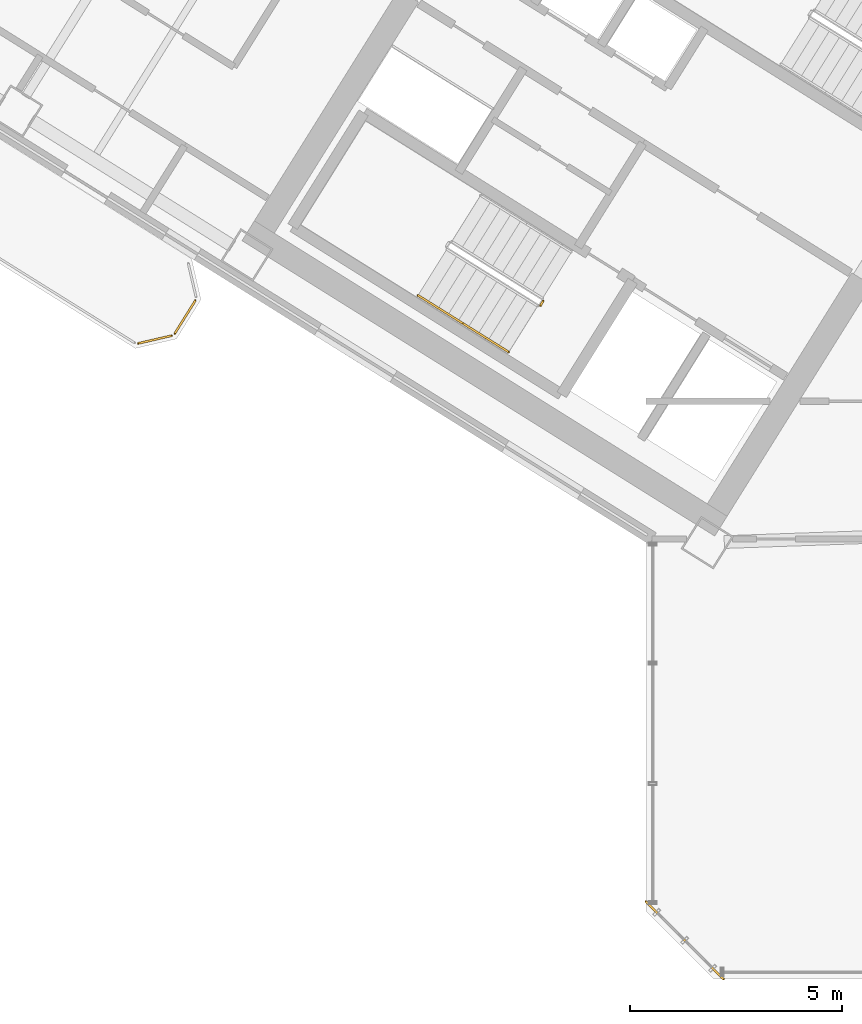
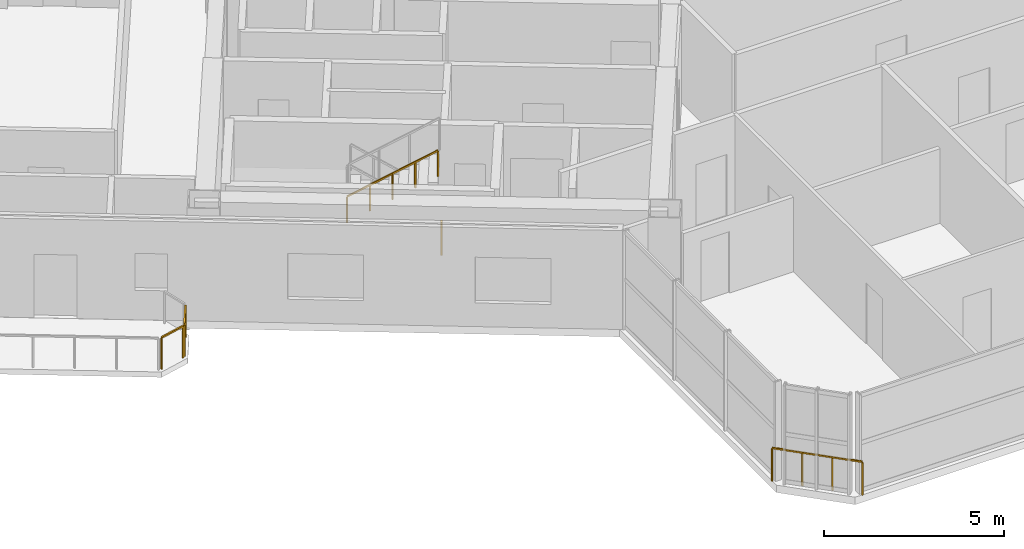
# One storey, part 17 of 21: 6 railings.
"""IFC4 building model written with IfcOpenShell, lengths in metres."""

from ifc_helpers import new_model, si_unit, direction, frame, origin, origin_2d, place, context, subcontext, project, spatial, rectangle, extrude, source, transform, mapped, material, type_object, element, save


model = new_model("IFC4")

# Units and contexts
model_context = context("Model", 3, precision=1e-05, world=origin(), true_north=direction((0.0, 1.0)))
body_context = subcontext(model_context, "Body", "Model", "MODEL_VIEW")
ifc_project = project(units=[si_unit("LENGTHUNIT", "METRE"), si_unit("AREAUNIT", "SQUARE_METRE"), si_unit("VOLUMEUNIT", "CUBIC_METRE"), si_unit("PLANEANGLEUNIT", "RADIAN"), si_unit("MASSUNIT", "GRAM", prefix="KILO")], contexts=[model_context])

# Site, building, storey
site_placement = place(None, origin())
site = spatial("IfcSite", under=ifc_project, at=site_placement, CompositionType="ELEMENT")
building_placement = place(site_placement, origin())
building = spatial("IfcBuilding", under=site, at=building_placement, Name="Tlacorven Tower", CompositionType="ELEMENT")
storey_placement = place(building_placement, frame((0.0, 0.0, 105.300048828125)))
storey = spatial("IfcBuildingStorey", under=building, at=storey_placement, Name="L26", CompositionType="ELEMENT", Elevation=105.300048828125)

# Railings
ifc_material = material(Name="Aluminium and painted steel balustrade", Category="steel")
railing_type_1 = type_object("IfcRailingType", Name="RL-BAL-1100", PredefinedType="BALUSTRADE", material=ifc_material)
shared_shape_1 = source(origin(), body_context, "Body", "SweptSolid", [
    extrude(rectangle(XDim=0.048095703125, YDim=0.048095703125, at=origin_2d()), frame((0.0, 0.0, 1.076171875), z_axis=(-0.52987865805, -0.848073468364, 0.0), x_axis=(0.848073468364, -0.52987865805, 0.0)), (0.0, 0.0, 1.0), 0.912353515625),
    extrude(rectangle(XDim=0.0419921875, YDim=0.0419921875, at=origin_2d()), origin(), (0.0, 0.0, 1.0), 1.052001953125),
    extrude(rectangle(XDim=0.0419921875, YDim=0.0419921875, at=origin_2d()), frame((-0.4833984375, -0.773681640625, 0.0)), (0.0, 0.0, 1.0), 1.052001953125),
])
railing_1_placement = place(storey_placement, frame((20.976318359375, 17.793701171875, 0.0)))
element("IfcRailing", 1, at=railing_1_placement, inside=storey, type_object=railing_type_1, Name="BAL-L26-W-OUT Guard Railing 2", PredefinedType="BALUSTRADE", context=body_context, shape_type="MappedRepresentation", body=[
    mapped(shared_shape_1, transform((0.0, 0.0, 0.0), scale=1.0)),
])
shared_shape_2 = source(origin(), body_context, "Body", "SweptSolid", [
    extrude(rectangle(XDim=0.048095703125, YDim=0.048095703125, at=origin_2d()), frame((0.0, 0.0, 1.076171875), z_axis=(-0.974345290916, -0.225058334816, 0.0), x_axis=(0.225058334816, -0.974345290916, 0.0)), (0.0, 0.0, 1.0), 0.80712890625),
    extrude(rectangle(XDim=0.0419921875, YDim=0.0419921875, at=origin_2d()), origin(), (0.0, 0.0, 1.0), 1.052001953125),
    extrude(rectangle(XDim=0.0419921875, YDim=0.0419921875, at=origin_2d()), frame((-0.786376953125, -0.181640625, 0.0)), (0.0, 0.0, 1.0), 1.052001953125),
])
railing_2_placement = place(storey_placement, frame((20.417724609375, 16.966552734375, 0.0)))
element("IfcRailing", 2, at=railing_2_placement, inside=storey, type_object=railing_type_1, Name="BAL-L26-W-OUT Guard Railing 3", PredefinedType="BALUSTRADE", context=body_context, shape_type="MappedRepresentation", body=[
    mapped(shared_shape_2, transform((0.0, 0.0, 0.0), scale=1.0)),
])
railing_type_2 = type_object("IfcRailingType", Name="RL-GRD-1150", PredefinedType="GUARDRAIL", material=ifc_material)
shared_shape_3 = source(origin(), body_context, "Body", "SweptSolid", [
    extrude(rectangle(XDim=0.048095703125, YDim=0.048095703125, at=origin_2d()), frame((0.0, 0.0, 1.1259765625), z_axis=(-0.707106781187, 0.707106781187, 0.0), x_axis=(-0.707106781187, -0.707106781187, 0.0)), (0.0, 0.0, 1.0), 2.590087890625),
    extrude(rectangle(XDim=0.0419921875, YDim=0.0419921875, at=origin_2d()), origin(), (0.0, 0.0, 1.0), 1.101806640625),
    extrude(rectangle(XDim=0.0419921875, YDim=0.0419921875, at=origin_2d()), frame((-0.610595703125, 0.610595703125, 0.0)), (0.0, 0.0, 1.0), 1.101806640625),
    extrude(rectangle(XDim=0.0419921875, YDim=0.0419921875, at=origin_2d()), frame((-1.220947265625, 1.220947265625, 0.0)), (0.0, 0.0, 1.0), 1.101806640625),
    extrude(rectangle(XDim=0.0419921875, YDim=0.0419921875, at=origin_2d()), frame((-1.83154296875, 1.83154296875, 0.0)), (0.0, 0.0, 1.0), 1.101806640625),
])
railing_3_placement = place(storey_placement, frame((33.428955078125, 1.79736328125, 0.0)))
element("IfcRailing", 3, at=railing_3_placement, inside=storey, type_object=railing_type_2, Name="L26 Knuckle Glazed Sill Guard 1", PredefinedType="GUARDRAIL", context=body_context, shape_type="MappedRepresentation", body=[
    mapped(shared_shape_3, transform((0.0, 0.0, 0.0), scale=1.0)),
])
railing_type_3 = type_object("IfcRailingType", Name="RL-GRD-1100", PredefinedType="GUARDRAIL", material=ifc_material)
shared_shape_4 = source(origin(), body_context, "Body", "SweptSolid", [
    extrude(rectangle(XDim=0.048095703125, YDim=0.048095703125, at=origin_2d()), frame((0.0, 0.0, 1.076171875), z_axis=(-0.529084052582, -0.848569422795, 0.0), x_axis=(0.848569422795, -0.529084052582, 0.0)), (0.0, 0.0, 1.0), 0.119873046875),
    extrude(rectangle(XDim=0.0419921875, YDim=0.0419921875, at=origin_2d()), origin(), (0.0, 0.0, 1.0), 1.052001953125),
    extrude(rectangle(XDim=0.0419921875, YDim=0.0419921875, at=origin_2d()), frame((-0.0634765625, -0.101806640625, 0.0)), (0.0, 0.0, 1.0), 1.052001953125),
])
railing_4_placement = place(storey_placement, frame((29.176513671875, 17.782958984375, 0.0)))
element("IfcRailing", 4, at=railing_4_placement, inside=storey, type_object=railing_type_3, Name="L26 ST-W1 stair guard 4", PredefinedType="GUARDRAIL", context=body_context, shape_type="MappedRepresentation", body=[
    mapped(shared_shape_4, transform((0.0, 0.0, 0.0), scale=1.0)),
])
railing_type_4 = type_object("IfcRailingType", Name="RL-HND-0900", PredefinedType="HANDRAIL", material=ifc_material)
shared_shape_5 = source(origin(), body_context, "Body", "SweptSolid", [
    extrude(rectangle(XDim=0.048095703125, YDim=0.048095703125, at=origin_2d()), frame((0.0, 0.0, 0.8759765625), z_axis=(0.713359751793, -0.4457479829, 0.540764828981), x_axis=(0.529911857636, 0.848052724267, 0.0)), (0.0, 0.0, 1.0), 1.498046875),
    extrude(rectangle(XDim=0.0419921875, YDim=0.0419921875, at=origin_2d()), origin(), (0.0, 0.0, 1.0), 0.851806640625),
    extrude(rectangle(XDim=0.0419921875, YDim=0.0419921875, at=origin_2d()), frame((0.5341796875, -0.333984375, 0.405029296875)), (0.0, 0.0, 1.0), 0.851806640625),
    extrude(rectangle(XDim=0.0419921875, YDim=0.0419921875, at=origin_2d()), frame((1.068603515625, -0.667724609375, 0.81005859375)), (0.0, 0.0, 1.0), 0.851806640625),
])
railing_5_placement = place(storey_placement, frame((26.228759765625, 17.915283203125, 1.97998046875)))
element("IfcRailing", 5, at=railing_5_placement, inside=storey, type_object=railing_type_4, Name="L26 ST-W1 stair handrail 3", PredefinedType="HANDRAIL", context=body_context, shape_type="MappedRepresentation", body=[
    mapped(shared_shape_5, transform((0.0, 0.0, 0.0), scale=1.0)),
])
shared_shape_6 = source(origin(), body_context, "Body", "SweptSolid", [
    extrude(rectangle(XDim=0.048095703125, YDim=0.048095703125, at=origin_2d()), frame((0.0, 0.0, 0.8759765625), z_axis=(0.713342573076, -0.445839108173, 0.540712366292), x_axis=(0.529998940003, 0.847998304005, 0.0)), (0.0, 0.0, 1.0), 1.49755859375),
    extrude(rectangle(XDim=0.0419921875, YDim=0.0419921875, at=origin_2d()), origin(), (0.0, 0.0, 1.0), 0.851806640625),
    extrude(rectangle(XDim=0.0419921875, YDim=0.0419921875, at=origin_2d()), frame((0.5341796875, -0.333984375, 0.40478515625)), (0.0, 0.0, 1.0), 0.851806640625),
    extrude(rectangle(XDim=0.0419921875, YDim=0.0419921875, at=origin_2d()), frame((1.068359375, -0.667724609375, 0.809814453125)), (0.0, 0.0, 1.0), 0.851806640625),
])
railing_6_placement = place(storey_placement, frame((27.29736328125, 17.24755859375, 2.7900390625)))
element("IfcRailing", 6, at=railing_6_placement, inside=storey, type_object=railing_type_4, Name="L26 ST-W1 stair handrail 4", PredefinedType="HANDRAIL", context=body_context, shape_type="MappedRepresentation", body=[
    mapped(shared_shape_6, transform((0.0, 0.0, 0.0), scale=1.0)),
])

save(model, "model.ifc")
